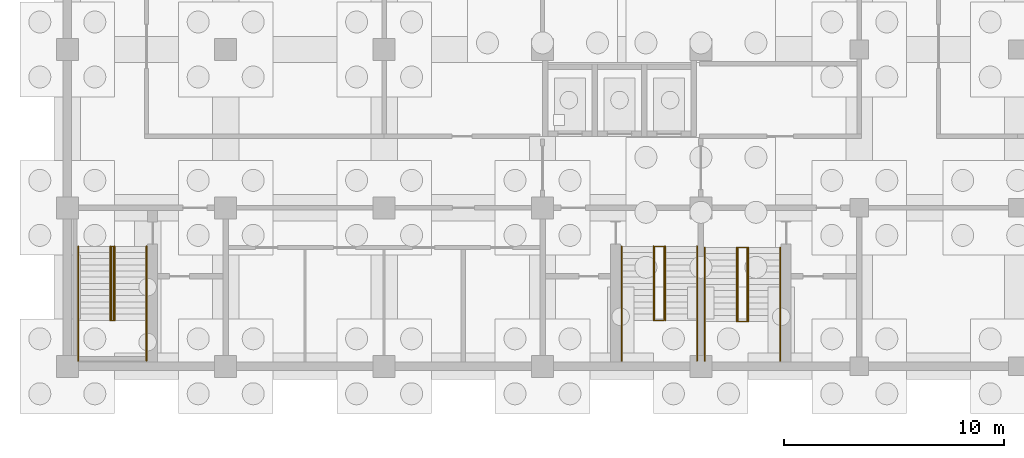
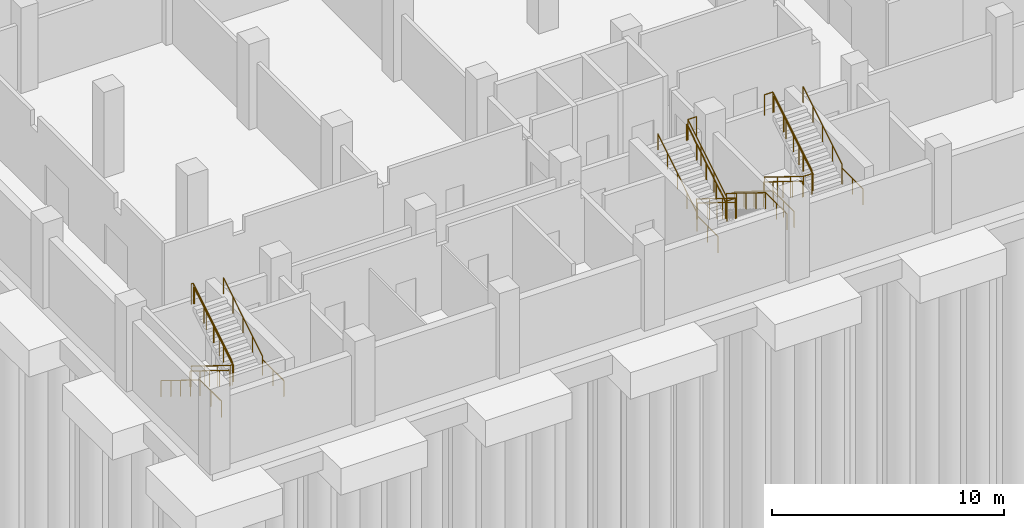
# One storey, part 15 of 19: 15 railings.
"""IFC4 building model written with IfcOpenShell, lengths in metres."""

from ifc_helpers import new_model, si_unit, direction, frame, origin, origin_2d, place, context, subcontext, project, spatial, circle, extrude, material, type_object, element, save


model = new_model("IFC4")

# Units and contexts
model_context = context("Model", 3, precision=1e-05, world=origin(), true_north=direction((0.0, 1.0)))
body_context = subcontext(model_context, "Body", "Model", "MODEL_VIEW")
ifc_project = project(units=[si_unit("LENGTHUNIT", "METRE"), si_unit("AREAUNIT", "SQUARE_METRE"), si_unit("VOLUMEUNIT", "CUBIC_METRE"), si_unit("PLANEANGLEUNIT", "RADIAN"), si_unit("MASSUNIT", "GRAM", prefix="KILO")], contexts=[model_context])

# Site, building, storey
site_placement = place(None, origin())
site = spatial("IfcSite", under=ifc_project, at=site_placement, CompositionType="ELEMENT")
building_placement = place(site_placement, origin())
building = spatial("IfcBuilding", under=site, at=building_placement, Name="Silangan Lancet Faculty of Sciences", CompositionType="ELEMENT")
storey_placement = place(building_placement, frame((0.0, 0.0, -4.5)))
storey = spatial("IfcBuildingStorey", under=building, at=storey_placement, Name="B1", CompositionType="ELEMENT", Elevation=-4.5)

# Railings
ifc_material_1 = material(Name="Steel balustrade", Category="steel")
railing_type_1 = type_object("IfcRailingType", Name="STAIR GUARD 1100", PredefinedType="GUARDRAIL", material=ifc_material_1)
railing_1_placement = place(storey_placement, frame((30.47509765625, 5.39990234375, 0.173095703125)))
element("IfcRailing", 1, at=railing_1_placement, inside=storey, type_object=railing_type_1, Name="GUARD-SAB-A-B1", PredefinedType="GUARDRAIL", context=body_context, shape_type="SweptSolid", body=[
    extrude(circle(Radius=0.02392578125, at=origin_2d()), frame((0.0, 0.0, 1.076171875), z_axis=(0.0, -0.850606129759, 0.525803396734), x_axis=(1.0, 0.0, 0.0)), (0.0, 0.0, 1.0), 3.949951171875),
    extrude(circle(Radius=0.02392578125, at=origin_2d()), frame((0.0, -3.35986328125, 3.15283203125), z_axis=(1.0, 0.0, 0.0), x_axis=(0.0, 1.0, 0.0)), (0.0, 0.0, 1.0), 0.4248046875),
    extrude(circle(Radius=0.02392578125, at=origin_2d()), frame((0.4248046875, -3.35986328125, 3.15283203125), z_axis=(0.0, 0.0, 1.0), x_axis=(1.0, 0.0, 0.0)), (0.0, 0.0, 1.0), 0.173095703125),
    extrude(circle(Radius=0.02392578125, at=origin_2d()), frame((0.4248046875, -3.35986328125, 3.326171875), z_axis=(0.0, 0.850606129759, 0.525803396734), x_axis=(-1.0, 0.0, 0.0)), (0.0, 0.0, 1.0), 3.949951171875),
    extrude(circle(Radius=0.02392578125, at=origin_2d()), frame((0.4248046875, 0.0, 5.40283203125), z_axis=(-1.0, 0.0, 0.0), x_axis=(0.0, -1.0, 0.0)), (0.0, 0.0, 1.0), 0.4248046875),
    extrude(circle(Radius=0.02099609375, at=origin_2d()), origin(), (0.0, 0.0, 1.0), 1.052001953125),
    extrude(circle(Radius=0.02099609375, at=origin_2d()), frame((0.0, -1.119873046875, 0.6923828125)), (0.0, 0.0, 1.0), 1.052001953125),
    extrude(circle(Radius=0.02099609375, at=origin_2d()), frame((0.0, -2.239990234375, 1.384521484375)), (0.0, 0.0, 1.0), 1.052001953125),
    extrude(circle(Radius=0.02099609375, at=origin_2d()), frame((0.0, -3.35986328125, 2.076904296875)), (0.0, 0.0, 1.0), 1.052001953125),
    extrude(circle(Radius=0.02099609375, at=origin_2d()), frame((0.4248046875, -3.35986328125, 2.076904296875)), (0.0, 0.0, 1.0), 1.052001953125),
    extrude(circle(Radius=0.02099609375, at=origin_2d()), frame((0.4248046875, -3.35986328125, 2.25)), (0.0, 0.0, 1.0), 1.052001953125),
    extrude(circle(Radius=0.02099609375, at=origin_2d()), frame((0.4248046875, -2.239990234375, 2.9423828125)), (0.0, 0.0, 1.0), 1.052001953125),
    extrude(circle(Radius=0.02099609375, at=origin_2d()), frame((0.4248046875, -1.119873046875, 3.634521484375)), (0.0, 0.0, 1.0), 1.052001953125),
    extrude(circle(Radius=0.02099609375, at=origin_2d()), frame((0.4248046875, 0.0, 4.326904296875)), (0.0, 0.0, 1.0), 1.052001953125),
    extrude(circle(Radius=0.02099609375, at=origin_2d()), frame((0.0, 0.0, 4.326904296875)), (0.0, 0.0, 1.0), 1.052001953125),
])
railing_2_placement = place(storey_placement, frame((2.0, 5.449951171875, 0.173095703125)))
element("IfcRailing", 2, at=railing_2_placement, inside=storey, type_object=railing_type_1, Name="GUARD-ST-A-B1", PredefinedType="GUARDRAIL", context=body_context, shape_type="SweptSolid", body=[
    extrude(circle(Radius=0.02392578125, at=origin_2d()), frame((0.0, 0.0, 1.076171875), z_axis=(0.0, -0.850606129759, 0.525803396734), x_axis=(1.0, 0.0, 0.0)), (0.0, 0.0, 1.0), 3.949951171875),
    extrude(circle(Radius=0.02392578125, at=origin_2d()), frame((0.0, -3.35986328125, 3.15283203125), z_axis=(1.0, 0.0, 0.0), x_axis=(0.0, 1.0, 0.0)), (0.0, 0.0, 1.0), 0.10009765625),
    extrude(circle(Radius=0.02392578125, at=origin_2d()), frame((0.10009765625, -3.35986328125, 3.15283203125), z_axis=(0.0, 0.0, 1.0), x_axis=(1.0, 0.0, 0.0)), (0.0, 0.0, 1.0), 0.173095703125),
    extrude(circle(Radius=0.02392578125, at=origin_2d()), frame((0.10009765625, -3.35986328125, 3.326171875), z_axis=(0.0, 0.850606129759, 0.525803396734), x_axis=(-1.0, 0.0, 0.0)), (0.0, 0.0, 1.0), 3.949951171875),
    extrude(circle(Radius=0.02392578125, at=origin_2d()), frame((0.10009765625, 0.0, 5.40283203125), z_axis=(-1.0, 0.0, 0.0), x_axis=(0.0, -1.0, 0.0)), (0.0, 0.0, 1.0), 0.10009765625),
    extrude(circle(Radius=0.02099609375, at=origin_2d()), origin(), (0.0, 0.0, 1.0), 1.052001953125),
    extrude(circle(Radius=0.02099609375, at=origin_2d()), frame((0.0, -1.119873046875, 0.6923828125)), (0.0, 0.0, 1.0), 1.052001953125),
    extrude(circle(Radius=0.02099609375, at=origin_2d()), frame((0.0, -2.239990234375, 1.384521484375)), (0.0, 0.0, 1.0), 1.052001953125),
    extrude(circle(Radius=0.02099609375, at=origin_2d()), frame((0.0, -3.35986328125, 2.076904296875)), (0.0, 0.0, 1.0), 1.052001953125),
    extrude(circle(Radius=0.02099609375, at=origin_2d()), frame((0.10009765625, -3.35986328125, 2.076904296875)), (0.0, 0.0, 1.0), 1.052001953125),
    extrude(circle(Radius=0.02099609375, at=origin_2d()), frame((0.10009765625, -3.35986328125, 2.25)), (0.0, 0.0, 1.0), 1.052001953125),
    extrude(circle(Radius=0.02099609375, at=origin_2d()), frame((0.10009765625, -2.239990234375, 2.9423828125)), (0.0, 0.0, 1.0), 1.052001953125),
    extrude(circle(Radius=0.02099609375, at=origin_2d()), frame((0.10009765625, -1.119873046875, 3.634521484375)), (0.0, 0.0, 1.0), 1.052001953125),
    extrude(circle(Radius=0.02099609375, at=origin_2d()), frame((0.10009765625, 0.0, 4.326904296875)), (0.0, 0.0, 1.0), 1.052001953125),
    extrude(circle(Radius=0.02099609375, at=origin_2d()), frame((0.0, 0.0, 4.326904296875)), (0.0, 0.0, 1.0), 1.052001953125),
])
railing_3_placement = place(storey_placement, frame((27.125, 5.449951171875, 0.173095703125)))
element("IfcRailing", 3, at=railing_3_placement, inside=storey, type_object=railing_type_1, Name="GUARD-ST-B-B1", PredefinedType="GUARDRAIL", context=body_context, shape_type="SweptSolid", body=[
    extrude(circle(Radius=0.02392578125, at=origin_2d()), frame((0.0, 0.0, 1.076171875), z_axis=(0.0, -0.850606129759, 0.525803396734), x_axis=(1.0, 0.0, 0.0)), (0.0, 0.0, 1.0), 3.949951171875),
    extrude(circle(Radius=0.02392578125, at=origin_2d()), frame((0.0, -3.35986328125, 3.15283203125), z_axis=(-1.0, 0.0, 0.0), x_axis=(0.0, -1.0, 0.0)), (0.0, 0.0, 1.0), 0.425048828125),
    extrude(circle(Radius=0.02392578125, at=origin_2d()), frame((-0.425048828125, -3.35986328125, 3.15283203125), z_axis=(0.0, 0.0, 1.0), x_axis=(1.0, 0.0, 0.0)), (0.0, 0.0, 1.0), 0.173095703125),
    extrude(circle(Radius=0.02392578125, at=origin_2d()), frame((-0.425048828125, -3.35986328125, 3.326171875), z_axis=(0.0, 0.850606129759, 0.525803396734), x_axis=(-1.0, 0.0, 0.0)), (0.0, 0.0, 1.0), 3.949951171875),
    extrude(circle(Radius=0.02392578125, at=origin_2d()), frame((-0.425048828125, 0.0, 5.40283203125), z_axis=(1.0, 0.0, 0.0), x_axis=(0.0, 1.0, 0.0)), (0.0, 0.0, 1.0), 0.425048828125),
    extrude(circle(Radius=0.02099609375, at=origin_2d()), origin(), (0.0, 0.0, 1.0), 1.052001953125),
    extrude(circle(Radius=0.02099609375, at=origin_2d()), frame((0.0, -1.119873046875, 0.6923828125)), (0.0, 0.0, 1.0), 1.052001953125),
    extrude(circle(Radius=0.02099609375, at=origin_2d()), frame((0.0, -2.239990234375, 1.384521484375)), (0.0, 0.0, 1.0), 1.052001953125),
    extrude(circle(Radius=0.02099609375, at=origin_2d()), frame((0.0, -3.35986328125, 2.076904296875)), (0.0, 0.0, 1.0), 1.052001953125),
    extrude(circle(Radius=0.02099609375, at=origin_2d()), frame((-0.425048828125, -3.35986328125, 2.076904296875)), (0.0, 0.0, 1.0), 1.052001953125),
    extrude(circle(Radius=0.02099609375, at=origin_2d()), frame((-0.425048828125, -3.35986328125, 2.25)), (0.0, 0.0, 1.0), 1.052001953125),
    extrude(circle(Radius=0.02099609375, at=origin_2d()), frame((-0.425048828125, -2.239990234375, 2.9423828125)), (0.0, 0.0, 1.0), 1.052001953125),
    extrude(circle(Radius=0.02099609375, at=origin_2d()), frame((-0.425048828125, -1.119873046875, 3.634521484375)), (0.0, 0.0, 1.0), 1.052001953125),
    extrude(circle(Radius=0.02099609375, at=origin_2d()), frame((-0.425048828125, 0.0, 4.326904296875)), (0.0, 0.0, 1.0), 1.052001953125),
    extrude(circle(Radius=0.02099609375, at=origin_2d()), frame((0.0, 0.0, 4.326904296875)), (0.0, 0.0, 1.0), 1.052001953125),
])
ifc_material_2 = material(Name="Stainless steel", Category="steel")
railing_type_2 = type_object("IfcRailingType", Name="STAIR HANDRAIL 865", PredefinedType="HANDRAIL", material=ifc_material_2)
railing_4_placement = place(storey_placement, frame((28.97509765625, 5.39990234375, 0.173095703125)))
element("IfcRailing", 4, at=railing_4_placement, inside=storey, type_object=railing_type_2, Name="HANDRAIL-SAB-A-B1-O1", PredefinedType="HANDRAIL", context=body_context, shape_type="SweptSolid", body=[
    extrude(circle(Radius=0.02392578125, at=origin_2d()), frame((0.0, 0.0, 0.8408203125), z_axis=(0.0, -0.850544299321, 0.52590340833), x_axis=(1.0, 0.0, 0.0)), (0.0, 0.0, 1.0), 0.9873046875),
    extrude(circle(Radius=0.02392578125, at=origin_2d()), frame((0.0, -0.83984375, 1.3603515625), z_axis=(0.0, -0.850723215571, 0.525613936734), x_axis=(1.0, 0.0, 0.0)), (0.0, 0.0, 1.0), 0.987548828125),
    extrude(circle(Radius=0.02392578125, at=origin_2d()), frame((0.0, -1.679931640625, 1.87939453125), z_axis=(0.0, -0.85061266112, 0.525792830631), x_axis=(1.0, 0.0, 0.0)), (0.0, 0.0, 1.0), 0.987548828125),
    extrude(circle(Radius=0.02392578125, at=origin_2d()), frame((0.0, -2.52001953125, 2.3984375), z_axis=(0.0, -0.850544299321, 0.52590340833), x_axis=(1.0, 0.0, 0.0)), (0.0, 0.0, 1.0), 0.9873046875),
    extrude(circle(Radius=0.02392578125, at=origin_2d()), frame((0.0, -3.35986328125, 2.91796875), z_axis=(0.0, -1.0, 0.0), x_axis=(1.0, 0.0, 0.0)), (0.0, 0.0, 1.0), 1.7900390625),
    extrude(circle(Radius=0.02099609375, at=origin_2d()), origin(), (0.0, 0.0, 1.0), 0.81689453125),
    extrude(circle(Radius=0.02099609375, at=origin_2d()), frame((0.0, -0.83984375, 0.519287109375)), (0.0, 0.0, 1.0), 0.81689453125),
    extrude(circle(Radius=0.02099609375, at=origin_2d()), frame((0.0, -1.679931640625, 1.038330078125)), (0.0, 0.0, 1.0), 0.81689453125),
    extrude(circle(Radius=0.02099609375, at=origin_2d()), frame((0.0, -2.52001953125, 1.5576171875)), (0.0, 0.0, 1.0), 0.81689453125),
    extrude(circle(Radius=0.02099609375, at=origin_2d()), frame((0.0, -3.35986328125, 2.076904296875)), (0.0, 0.0, 1.0), 0.81689453125),
    extrude(circle(Radius=0.02099609375, at=origin_2d()), frame((0.0, -4.2548828125, 2.076904296875)), (0.0, 0.0, 1.0), 0.81689453125),
    extrude(circle(Radius=0.02099609375, at=origin_2d()), frame((0.0, -5.14990234375, 2.076904296875)), (0.0, 0.0, 1.0), 0.81689453125),
])
railing_5_placement = place(storey_placement, frame((30.425048828125, 5.39990234375, 0.173095703125)))
element("IfcRailing", 5, at=railing_5_placement, inside=storey, type_object=railing_type_2, Name="HANDRAIL-SAB-A-B1-I1", PredefinedType="HANDRAIL", context=body_context, shape_type="SweptSolid", body=[
    extrude(circle(Radius=0.02392578125, at=origin_2d()), frame((0.0, 0.0, 0.8408203125), z_axis=(0.0, -0.850544299321, 0.52590340833), x_axis=(1.0, 0.0, 0.0)), (0.0, 0.0, 1.0), 0.9873046875),
    extrude(circle(Radius=0.02392578125, at=origin_2d()), frame((0.0, -0.83984375, 1.3603515625), z_axis=(0.0, -0.850723215571, 0.525613936734), x_axis=(1.0, 0.0, 0.0)), (0.0, 0.0, 1.0), 0.987548828125),
    extrude(circle(Radius=0.02392578125, at=origin_2d()), frame((0.0, -1.679931640625, 1.87939453125), z_axis=(0.0, -0.85061266112, 0.525792830631), x_axis=(1.0, 0.0, 0.0)), (0.0, 0.0, 1.0), 0.987548828125),
    extrude(circle(Radius=0.02392578125, at=origin_2d()), frame((0.0, -2.52001953125, 2.3984375), z_axis=(0.0, -0.850544299321, 0.52590340833), x_axis=(1.0, 0.0, 0.0)), (0.0, 0.0, 1.0), 0.9873046875),
    extrude(circle(Radius=0.02099609375, at=origin_2d()), origin(), (0.0, 0.0, 1.0), 0.81689453125),
    extrude(circle(Radius=0.02099609375, at=origin_2d()), frame((0.0, -0.83984375, 0.519287109375)), (0.0, 0.0, 1.0), 0.81689453125),
    extrude(circle(Radius=0.02099609375, at=origin_2d()), frame((0.0, -1.679931640625, 1.038330078125)), (0.0, 0.0, 1.0), 0.81689453125),
    extrude(circle(Radius=0.02099609375, at=origin_2d()), frame((0.0, -2.52001953125, 1.5576171875)), (0.0, 0.0, 1.0), 0.81689453125),
    extrude(circle(Radius=0.02099609375, at=origin_2d()), frame((0.0, -3.35986328125, 2.076904296875)), (0.0, 0.0, 1.0), 0.81689453125),
])
railing_6_placement = place(storey_placement, frame((32.39990234375, 0.25, 2.25)))
element("IfcRailing", 6, at=railing_6_placement, inside=storey, type_object=railing_type_2, Name="HANDRAIL-SAB-A-B1-O2", PredefinedType="HANDRAIL", context=body_context, shape_type="SweptSolid", body=[
    extrude(circle(Radius=0.02392578125, at=origin_2d()), frame((0.0, 0.0, 0.8408203125), z_axis=(0.0, 1.0, 0.0), x_axis=(-1.0, 0.0, 0.0)), (0.0, 0.0, 1.0), 1.7900390625),
    extrude(circle(Radius=0.02392578125, at=origin_2d()), frame((0.0, 1.7900390625, 0.8408203125), z_axis=(0.0, 0.0, 1.0), x_axis=(1.0, 0.0, 0.0)), (0.0, 0.0, 1.0), 0.173095703125),
    extrude(circle(Radius=0.02392578125, at=origin_2d()), frame((0.0, 1.7900390625, 1.01416015625), z_axis=(0.0, 0.850544299321, 0.52590340833), x_axis=(-1.0, 0.0, 0.0)), (0.0, 0.0, 1.0), 0.9873046875),
    extrude(circle(Radius=0.02392578125, at=origin_2d()), frame((0.0, 2.6298828125, 1.533203125), z_axis=(0.0, 0.850723215571, 0.525613936734), x_axis=(-1.0, 0.0, 0.0)), (0.0, 0.0, 1.0), 0.987548828125),
    extrude(circle(Radius=0.02392578125, at=origin_2d()), frame((0.0, 3.469970703125, 2.05224609375), z_axis=(0.0, 0.85061266112, 0.525792830631), x_axis=(-1.0, 0.0, 0.0)), (0.0, 0.0, 1.0), 0.987548828125),
    extrude(circle(Radius=0.02392578125, at=origin_2d()), frame((0.0, 4.31005859375, 2.57177734375), z_axis=(0.0, 0.850544299321, 0.52590340833), x_axis=(-1.0, 0.0, 0.0)), (0.0, 0.0, 1.0), 0.9873046875),
    extrude(circle(Radius=0.02099609375, at=origin_2d()), origin(), (0.0, 0.0, 1.0), 0.81689453125),
    extrude(circle(Radius=0.02099609375, at=origin_2d()), frame((0.0, 0.89501953125, 0.0)), (0.0, 0.0, 1.0), 0.81689453125),
    extrude(circle(Radius=0.02099609375, at=origin_2d()), frame((0.0, 1.7900390625, 0.0)), (0.0, 0.0, 1.0), 0.81689453125),
    extrude(circle(Radius=0.02099609375, at=origin_2d()), frame((0.0, 1.7900390625, 0.173095703125)), (0.0, 0.0, 1.0), 0.81689453125),
    extrude(circle(Radius=0.02099609375, at=origin_2d()), frame((0.0, 2.6298828125, 0.6923828125)), (0.0, 0.0, 1.0), 0.81689453125),
    extrude(circle(Radius=0.02099609375, at=origin_2d()), frame((0.0, 3.469970703125, 1.21142578125)), (0.0, 0.0, 1.0), 0.81689453125),
    extrude(circle(Radius=0.02099609375, at=origin_2d()), frame((0.0, 4.31005859375, 1.730712890625)), (0.0, 0.0, 1.0), 0.81689453125),
    extrude(circle(Radius=0.02099609375, at=origin_2d()), frame((0.0, 5.14990234375, 2.25)), (0.0, 0.0, 1.0), 0.81689453125),
])
railing_7_placement = place(storey_placement, frame((30.949951171875, 2.0400390625, 2.423095703125)))
element("IfcRailing", 7, at=railing_7_placement, inside=storey, type_object=railing_type_2, Name="HANDRAIL-SAB-A-B1-I2", PredefinedType="HANDRAIL", context=body_context, shape_type="SweptSolid", body=[
    extrude(circle(Radius=0.02392578125, at=origin_2d()), frame((0.0, 0.0, 0.8408203125), z_axis=(0.0, 0.850544299321, 0.52590340833), x_axis=(-1.0, 0.0, 0.0)), (0.0, 0.0, 1.0), 0.9873046875),
    extrude(circle(Radius=0.02392578125, at=origin_2d()), frame((0.0, 0.83984375, 1.3603515625), z_axis=(0.0, 0.850723215571, 0.525613936734), x_axis=(-1.0, 0.0, 0.0)), (0.0, 0.0, 1.0), 0.987548828125),
    extrude(circle(Radius=0.02392578125, at=origin_2d()), frame((0.0, 1.679931640625, 1.87939453125), z_axis=(0.0, 0.85061266112, 0.525792830631), x_axis=(-1.0, 0.0, 0.0)), (0.0, 0.0, 1.0), 0.987548828125),
    extrude(circle(Radius=0.02392578125, at=origin_2d()), frame((0.0, 2.52001953125, 2.3984375), z_axis=(0.0, 0.850544299321, 0.52590340833), x_axis=(-1.0, 0.0, 0.0)), (0.0, 0.0, 1.0), 0.9873046875),
    extrude(circle(Radius=0.02099609375, at=origin_2d()), origin(), (0.0, 0.0, 1.0), 0.81689453125),
    extrude(circle(Radius=0.02099609375, at=origin_2d()), frame((0.0, 0.83984375, 0.519287109375)), (0.0, 0.0, 1.0), 0.81689453125),
    extrude(circle(Radius=0.02099609375, at=origin_2d()), frame((0.0, 1.679931640625, 1.038330078125)), (0.0, 0.0, 1.0), 0.81689453125),
    extrude(circle(Radius=0.02099609375, at=origin_2d()), frame((0.0, 2.52001953125, 1.5576171875)), (0.0, 0.0, 1.0), 0.81689453125),
    extrude(circle(Radius=0.02099609375, at=origin_2d()), frame((0.0, 3.35986328125, 2.076904296875)), (0.0, 0.0, 1.0), 0.81689453125),
])
railing_8_placement = place(storey_placement, frame((0.5, 5.449951171875, 0.173095703125)))
element("IfcRailing", 8, at=railing_8_placement, inside=storey, type_object=railing_type_2, Name="HANDRAIL-ST-A-B1-O1", PredefinedType="HANDRAIL", context=body_context, shape_type="SweptSolid", body=[
    extrude(circle(Radius=0.02392578125, at=origin_2d()), frame((0.0, 0.0, 0.8408203125), z_axis=(0.0, -0.850544299321, 0.52590340833), x_axis=(1.0, 0.0, 0.0)), (0.0, 0.0, 1.0), 0.9873046875),
    extrude(circle(Radius=0.02392578125, at=origin_2d()), frame((0.0, -0.83984375, 1.3603515625), z_axis=(0.0, -0.850723215571, 0.525613936734), x_axis=(1.0, 0.0, 0.0)), (0.0, 0.0, 1.0), 0.987548828125),
    extrude(circle(Radius=0.02392578125, at=origin_2d()), frame((0.0, -1.679931640625, 1.87939453125), z_axis=(0.0, -0.85061266112, 0.525792830631), x_axis=(1.0, 0.0, 0.0)), (0.0, 0.0, 1.0), 0.987548828125),
    extrude(circle(Radius=0.02392578125, at=origin_2d()), frame((0.0, -2.52001953125, 2.3984375), z_axis=(0.0, -0.850544299321, 0.52590340833), x_axis=(1.0, 0.0, 0.0)), (0.0, 0.0, 1.0), 0.9873046875),
    extrude(circle(Radius=0.02392578125, at=origin_2d()), frame((0.0, -3.35986328125, 2.91796875), z_axis=(0.0, -1.0, 0.0), x_axis=(1.0, 0.0, 0.0)), (0.0, 0.0, 1.0), 1.840087890625),
    extrude(circle(Radius=0.02099609375, at=origin_2d()), origin(), (0.0, 0.0, 1.0), 0.81689453125),
    extrude(circle(Radius=0.02099609375, at=origin_2d()), frame((0.0, -0.83984375, 0.519287109375)), (0.0, 0.0, 1.0), 0.81689453125),
    extrude(circle(Radius=0.02099609375, at=origin_2d()), frame((0.0, -1.679931640625, 1.038330078125)), (0.0, 0.0, 1.0), 0.81689453125),
    extrude(circle(Radius=0.02099609375, at=origin_2d()), frame((0.0, -2.52001953125, 1.5576171875)), (0.0, 0.0, 1.0), 0.81689453125),
    extrude(circle(Radius=0.02099609375, at=origin_2d()), frame((0.0, -3.35986328125, 2.076904296875)), (0.0, 0.0, 1.0), 0.81689453125),
    extrude(circle(Radius=0.02099609375, at=origin_2d()), frame((0.0, -4.27978515625, 2.076904296875)), (0.0, 0.0, 1.0), 0.81689453125),
    extrude(circle(Radius=0.02099609375, at=origin_2d()), frame((0.0, -5.199951171875, 2.076904296875)), (0.0, 0.0, 1.0), 0.81689453125),
])
railing_9_placement = place(storey_placement, frame((1.949951171875, 5.449951171875, 0.173095703125)))
element("IfcRailing", 9, at=railing_9_placement, inside=storey, type_object=railing_type_2, Name="HANDRAIL-ST-A-B1-I1", PredefinedType="HANDRAIL", context=body_context, shape_type="SweptSolid", body=[
    extrude(circle(Radius=0.02392578125, at=origin_2d()), frame((0.0, 0.0, 0.8408203125), z_axis=(0.0, -0.850544299321, 0.52590340833), x_axis=(1.0, 0.0, 0.0)), (0.0, 0.0, 1.0), 0.9873046875),
    extrude(circle(Radius=0.02392578125, at=origin_2d()), frame((0.0, -0.83984375, 1.3603515625), z_axis=(0.0, -0.850723215571, 0.525613936734), x_axis=(1.0, 0.0, 0.0)), (0.0, 0.0, 1.0), 0.987548828125),
    extrude(circle(Radius=0.02392578125, at=origin_2d()), frame((0.0, -1.679931640625, 1.87939453125), z_axis=(0.0, -0.85061266112, 0.525792830631), x_axis=(1.0, 0.0, 0.0)), (0.0, 0.0, 1.0), 0.987548828125),
    extrude(circle(Radius=0.02392578125, at=origin_2d()), frame((0.0, -2.52001953125, 2.3984375), z_axis=(0.0, -0.850544299321, 0.52590340833), x_axis=(1.0, 0.0, 0.0)), (0.0, 0.0, 1.0), 0.9873046875),
    extrude(circle(Radius=0.02099609375, at=origin_2d()), origin(), (0.0, 0.0, 1.0), 0.81689453125),
    extrude(circle(Radius=0.02099609375, at=origin_2d()), frame((0.0, -0.83984375, 0.519287109375)), (0.0, 0.0, 1.0), 0.81689453125),
    extrude(circle(Radius=0.02099609375, at=origin_2d()), frame((0.0, -1.679931640625, 1.038330078125)), (0.0, 0.0, 1.0), 0.81689453125),
    extrude(circle(Radius=0.02099609375, at=origin_2d()), frame((0.0, -2.52001953125, 1.5576171875)), (0.0, 0.0, 1.0), 0.81689453125),
    extrude(circle(Radius=0.02099609375, at=origin_2d()), frame((0.0, -3.35986328125, 2.076904296875)), (0.0, 0.0, 1.0), 0.81689453125),
])
railing_10_placement = place(storey_placement, frame((3.60009765625, 0.25, 2.25)))
element("IfcRailing", 10, at=railing_10_placement, inside=storey, type_object=railing_type_2, Name="HANDRAIL-ST-A-B1-O2", PredefinedType="HANDRAIL", context=body_context, shape_type="SweptSolid", body=[
    extrude(circle(Radius=0.02392578125, at=origin_2d()), frame((0.0, 0.0, 0.8408203125), z_axis=(0.0, 1.0, 0.0), x_axis=(-1.0, 0.0, 0.0)), (0.0, 0.0, 1.0), 1.840087890625),
    extrude(circle(Radius=0.02392578125, at=origin_2d()), frame((0.0, 1.840087890625, 0.8408203125), z_axis=(0.0, 0.0, 1.0), x_axis=(1.0, 0.0, 0.0)), (0.0, 0.0, 1.0), 0.173095703125),
    extrude(circle(Radius=0.02392578125, at=origin_2d()), frame((0.0, 1.840087890625, 1.01416015625), z_axis=(0.0, 0.850544299321, 0.52590340833), x_axis=(-1.0, 0.0, 0.0)), (0.0, 0.0, 1.0), 0.9873046875),
    extrude(circle(Radius=0.02392578125, at=origin_2d()), frame((0.0, 2.679931640625, 1.533203125), z_axis=(0.0, 0.850723215571, 0.525613936734), x_axis=(-1.0, 0.0, 0.0)), (0.0, 0.0, 1.0), 0.987548828125),
    extrude(circle(Radius=0.02392578125, at=origin_2d()), frame((0.0, 3.52001953125, 2.05224609375), z_axis=(0.0, 0.85061266112, 0.525792830631), x_axis=(-1.0, 0.0, 0.0)), (0.0, 0.0, 1.0), 0.987548828125),
    extrude(circle(Radius=0.02392578125, at=origin_2d()), frame((0.0, 4.360107421875, 2.57177734375), z_axis=(0.0, 0.850544299321, 0.52590340833), x_axis=(-1.0, 0.0, 0.0)), (0.0, 0.0, 1.0), 0.9873046875),
    extrude(circle(Radius=0.02099609375, at=origin_2d()), origin(), (0.0, 0.0, 1.0), 0.81689453125),
    extrude(circle(Radius=0.02099609375, at=origin_2d()), frame((0.0, 0.919921875, 0.0)), (0.0, 0.0, 1.0), 0.81689453125),
    extrude(circle(Radius=0.02099609375, at=origin_2d()), frame((0.0, 1.840087890625, 0.0)), (0.0, 0.0, 1.0), 0.81689453125),
    extrude(circle(Radius=0.02099609375, at=origin_2d()), frame((0.0, 1.840087890625, 0.173095703125)), (0.0, 0.0, 1.0), 0.81689453125),
    extrude(circle(Radius=0.02099609375, at=origin_2d()), frame((0.0, 2.679931640625, 0.6923828125)), (0.0, 0.0, 1.0), 0.81689453125),
    extrude(circle(Radius=0.02099609375, at=origin_2d()), frame((0.0, 3.52001953125, 1.21142578125)), (0.0, 0.0, 1.0), 0.81689453125),
    extrude(circle(Radius=0.02099609375, at=origin_2d()), frame((0.0, 4.360107421875, 1.730712890625)), (0.0, 0.0, 1.0), 0.81689453125),
    extrude(circle(Radius=0.02099609375, at=origin_2d()), frame((0.0, 5.199951171875, 2.25)), (0.0, 0.0, 1.0), 0.81689453125),
])
railing_11_placement = place(storey_placement, frame((2.14990234375, 2.090087890625, 2.423095703125)))
element("IfcRailing", 11, at=railing_11_placement, inside=storey, type_object=railing_type_2, Name="HANDRAIL-ST-A-B1-I2", PredefinedType="HANDRAIL", context=body_context, shape_type="SweptSolid", body=[
    extrude(circle(Radius=0.02392578125, at=origin_2d()), frame((0.0, 0.0, 0.8408203125), z_axis=(0.0, 0.850544299321, 0.52590340833), x_axis=(-1.0, 0.0, 0.0)), (0.0, 0.0, 1.0), 0.9873046875),
    extrude(circle(Radius=0.02392578125, at=origin_2d()), frame((0.0, 0.83984375, 1.3603515625), z_axis=(0.0, 0.850723215571, 0.525613936734), x_axis=(-1.0, 0.0, 0.0)), (0.0, 0.0, 1.0), 0.987548828125),
    extrude(circle(Radius=0.02392578125, at=origin_2d()), frame((0.0, 1.679931640625, 1.87939453125), z_axis=(0.0, 0.85061266112, 0.525792830631), x_axis=(-1.0, 0.0, 0.0)), (0.0, 0.0, 1.0), 0.987548828125),
    extrude(circle(Radius=0.02392578125, at=origin_2d()), frame((0.0, 2.52001953125, 2.3984375), z_axis=(0.0, 0.850544299321, 0.52590340833), x_axis=(-1.0, 0.0, 0.0)), (0.0, 0.0, 1.0), 0.9873046875),
    extrude(circle(Radius=0.02099609375, at=origin_2d()), origin(), (0.0, 0.0, 1.0), 0.81689453125),
    extrude(circle(Radius=0.02099609375, at=origin_2d()), frame((0.0, 0.83984375, 0.519287109375)), (0.0, 0.0, 1.0), 0.81689453125),
    extrude(circle(Radius=0.02099609375, at=origin_2d()), frame((0.0, 1.679931640625, 1.038330078125)), (0.0, 0.0, 1.0), 0.81689453125),
    extrude(circle(Radius=0.02099609375, at=origin_2d()), frame((0.0, 2.52001953125, 1.5576171875)), (0.0, 0.0, 1.0), 0.81689453125),
    extrude(circle(Radius=0.02099609375, at=origin_2d()), frame((0.0, 3.35986328125, 2.076904296875)), (0.0, 0.0, 1.0), 0.81689453125),
])
railing_12_placement = place(storey_placement, frame((28.625, 5.449951171875, 0.173095703125)))
element("IfcRailing", 12, at=railing_12_placement, inside=storey, type_object=railing_type_2, Name="HANDRAIL-ST-B-B1-O1", PredefinedType="HANDRAIL", context=body_context, shape_type="SweptSolid", body=[
    extrude(circle(Radius=0.02392578125, at=origin_2d()), frame((0.0, 0.0, 0.8408203125), z_axis=(0.0, -0.850544299321, 0.52590340833), x_axis=(1.0, 0.0, 0.0)), (0.0, 0.0, 1.0), 0.9873046875),
    extrude(circle(Radius=0.02392578125, at=origin_2d()), frame((0.0, -0.83984375, 1.3603515625), z_axis=(0.0, -0.850723215571, 0.525613936734), x_axis=(1.0, 0.0, 0.0)), (0.0, 0.0, 1.0), 0.987548828125),
    extrude(circle(Radius=0.02392578125, at=origin_2d()), frame((0.0, -1.679931640625, 1.87939453125), z_axis=(0.0, -0.85061266112, 0.525792830631), x_axis=(1.0, 0.0, 0.0)), (0.0, 0.0, 1.0), 0.987548828125),
    extrude(circle(Radius=0.02392578125, at=origin_2d()), frame((0.0, -2.52001953125, 2.3984375), z_axis=(0.0, -0.850544299321, 0.52590340833), x_axis=(1.0, 0.0, 0.0)), (0.0, 0.0, 1.0), 0.9873046875),
    extrude(circle(Radius=0.02392578125, at=origin_2d()), frame((0.0, -3.35986328125, 2.91796875), z_axis=(0.0, -1.0, 0.0), x_axis=(1.0, 0.0, 0.0)), (0.0, 0.0, 1.0), 1.840087890625),
    extrude(circle(Radius=0.02099609375, at=origin_2d()), origin(), (0.0, 0.0, 1.0), 0.81689453125),
    extrude(circle(Radius=0.02099609375, at=origin_2d()), frame((0.0, -0.83984375, 0.519287109375)), (0.0, 0.0, 1.0), 0.81689453125),
    extrude(circle(Radius=0.02099609375, at=origin_2d()), frame((0.0, -1.679931640625, 1.038330078125)), (0.0, 0.0, 1.0), 0.81689453125),
    extrude(circle(Radius=0.02099609375, at=origin_2d()), frame((0.0, -2.52001953125, 1.5576171875)), (0.0, 0.0, 1.0), 0.81689453125),
    extrude(circle(Radius=0.02099609375, at=origin_2d()), frame((0.0, -3.35986328125, 2.076904296875)), (0.0, 0.0, 1.0), 0.81689453125),
    extrude(circle(Radius=0.02099609375, at=origin_2d()), frame((0.0, -4.27978515625, 2.076904296875)), (0.0, 0.0, 1.0), 0.81689453125),
    extrude(circle(Radius=0.02099609375, at=origin_2d()), frame((0.0, -5.199951171875, 2.076904296875)), (0.0, 0.0, 1.0), 0.81689453125),
])
railing_13_placement = place(storey_placement, frame((27.175048828125, 5.449951171875, 0.173095703125)))
element("IfcRailing", 13, at=railing_13_placement, inside=storey, type_object=railing_type_2, Name="HANDRAIL-ST-B-B1-I1", PredefinedType="HANDRAIL", context=body_context, shape_type="SweptSolid", body=[
    extrude(circle(Radius=0.02392578125, at=origin_2d()), frame((0.0, 0.0, 0.8408203125), z_axis=(0.0, -0.850544299321, 0.52590340833), x_axis=(1.0, 0.0, 0.0)), (0.0, 0.0, 1.0), 0.9873046875),
    extrude(circle(Radius=0.02392578125, at=origin_2d()), frame((0.0, -0.83984375, 1.3603515625), z_axis=(0.0, -0.850723215571, 0.525613936734), x_axis=(1.0, 0.0, 0.0)), (0.0, 0.0, 1.0), 0.987548828125),
    extrude(circle(Radius=0.02392578125, at=origin_2d()), frame((0.0, -1.679931640625, 1.87939453125), z_axis=(0.0, -0.85061266112, 0.525792830631), x_axis=(1.0, 0.0, 0.0)), (0.0, 0.0, 1.0), 0.987548828125),
    extrude(circle(Radius=0.02392578125, at=origin_2d()), frame((0.0, -2.52001953125, 2.3984375), z_axis=(0.0, -0.850544299321, 0.52590340833), x_axis=(1.0, 0.0, 0.0)), (0.0, 0.0, 1.0), 0.9873046875),
    extrude(circle(Radius=0.02099609375, at=origin_2d()), origin(), (0.0, 0.0, 1.0), 0.81689453125),
    extrude(circle(Radius=0.02099609375, at=origin_2d()), frame((0.0, -0.83984375, 0.519287109375)), (0.0, 0.0, 1.0), 0.81689453125),
    extrude(circle(Radius=0.02099609375, at=origin_2d()), frame((0.0, -1.679931640625, 1.038330078125)), (0.0, 0.0, 1.0), 0.81689453125),
    extrude(circle(Radius=0.02099609375, at=origin_2d()), frame((0.0, -2.52001953125, 1.5576171875)), (0.0, 0.0, 1.0), 0.81689453125),
    extrude(circle(Radius=0.02099609375, at=origin_2d()), frame((0.0, -3.35986328125, 2.076904296875)), (0.0, 0.0, 1.0), 0.81689453125),
])
railing_14_placement = place(storey_placement, frame((25.199951171875, 0.25, 2.25)))
element("IfcRailing", 14, at=railing_14_placement, inside=storey, type_object=railing_type_2, Name="HANDRAIL-ST-B-B1-O2", PredefinedType="HANDRAIL", context=body_context, shape_type="SweptSolid", body=[
    extrude(circle(Radius=0.02392578125, at=origin_2d()), frame((0.0, 0.0, 0.8408203125), z_axis=(0.0, 1.0, 0.0), x_axis=(-1.0, 0.0, 0.0)), (0.0, 0.0, 1.0), 1.840087890625),
    extrude(circle(Radius=0.02392578125, at=origin_2d()), frame((0.0, 1.840087890625, 0.8408203125), z_axis=(0.0, 0.0, 1.0), x_axis=(1.0, 0.0, 0.0)), (0.0, 0.0, 1.0), 0.173095703125),
    extrude(circle(Radius=0.02392578125, at=origin_2d()), frame((0.0, 1.840087890625, 1.01416015625), z_axis=(0.0, 0.850544299321, 0.52590340833), x_axis=(-1.0, 0.0, 0.0)), (0.0, 0.0, 1.0), 0.9873046875),
    extrude(circle(Radius=0.02392578125, at=origin_2d()), frame((0.0, 2.679931640625, 1.533203125), z_axis=(0.0, 0.850723215571, 0.525613936734), x_axis=(-1.0, 0.0, 0.0)), (0.0, 0.0, 1.0), 0.987548828125),
    extrude(circle(Radius=0.02392578125, at=origin_2d()), frame((0.0, 3.52001953125, 2.05224609375), z_axis=(0.0, 0.85061266112, 0.525792830631), x_axis=(-1.0, 0.0, 0.0)), (0.0, 0.0, 1.0), 0.987548828125),
    extrude(circle(Radius=0.02392578125, at=origin_2d()), frame((0.0, 4.360107421875, 2.57177734375), z_axis=(0.0, 0.850544299321, 0.52590340833), x_axis=(-1.0, 0.0, 0.0)), (0.0, 0.0, 1.0), 0.9873046875),
    extrude(circle(Radius=0.02099609375, at=origin_2d()), origin(), (0.0, 0.0, 1.0), 0.81689453125),
    extrude(circle(Radius=0.02099609375, at=origin_2d()), frame((0.0, 0.919921875, 0.0)), (0.0, 0.0, 1.0), 0.81689453125),
    extrude(circle(Radius=0.02099609375, at=origin_2d()), frame((0.0, 1.840087890625, 0.0)), (0.0, 0.0, 1.0), 0.81689453125),
    extrude(circle(Radius=0.02099609375, at=origin_2d()), frame((0.0, 1.840087890625, 0.173095703125)), (0.0, 0.0, 1.0), 0.81689453125),
    extrude(circle(Radius=0.02099609375, at=origin_2d()), frame((0.0, 2.679931640625, 0.6923828125)), (0.0, 0.0, 1.0), 0.81689453125),
    extrude(circle(Radius=0.02099609375, at=origin_2d()), frame((0.0, 3.52001953125, 1.21142578125)), (0.0, 0.0, 1.0), 0.81689453125),
    extrude(circle(Radius=0.02099609375, at=origin_2d()), frame((0.0, 4.360107421875, 1.730712890625)), (0.0, 0.0, 1.0), 0.81689453125),
    extrude(circle(Radius=0.02099609375, at=origin_2d()), frame((0.0, 5.199951171875, 2.25)), (0.0, 0.0, 1.0), 0.81689453125),
])
railing_15_placement = place(storey_placement, frame((26.64990234375, 2.090087890625, 2.423095703125)))
element("IfcRailing", 15, at=railing_15_placement, inside=storey, type_object=railing_type_2, Name="HANDRAIL-ST-B-B1-I2", PredefinedType="HANDRAIL", context=body_context, shape_type="SweptSolid", body=[
    extrude(circle(Radius=0.02392578125, at=origin_2d()), frame((0.0, 0.0, 0.8408203125), z_axis=(0.0, 0.850544299321, 0.52590340833), x_axis=(-1.0, 0.0, 0.0)), (0.0, 0.0, 1.0), 0.9873046875),
    extrude(circle(Radius=0.02392578125, at=origin_2d()), frame((0.0, 0.83984375, 1.3603515625), z_axis=(0.0, 0.850723215571, 0.525613936734), x_axis=(-1.0, 0.0, 0.0)), (0.0, 0.0, 1.0), 0.987548828125),
    extrude(circle(Radius=0.02392578125, at=origin_2d()), frame((0.0, 1.679931640625, 1.87939453125), z_axis=(0.0, 0.85061266112, 0.525792830631), x_axis=(-1.0, 0.0, 0.0)), (0.0, 0.0, 1.0), 0.987548828125),
    extrude(circle(Radius=0.02392578125, at=origin_2d()), frame((0.0, 2.52001953125, 2.3984375), z_axis=(0.0, 0.850544299321, 0.52590340833), x_axis=(-1.0, 0.0, 0.0)), (0.0, 0.0, 1.0), 0.9873046875),
    extrude(circle(Radius=0.02099609375, at=origin_2d()), origin(), (0.0, 0.0, 1.0), 0.81689453125),
    extrude(circle(Radius=0.02099609375, at=origin_2d()), frame((0.0, 0.83984375, 0.519287109375)), (0.0, 0.0, 1.0), 0.81689453125),
    extrude(circle(Radius=0.02099609375, at=origin_2d()), frame((0.0, 1.679931640625, 1.038330078125)), (0.0, 0.0, 1.0), 0.81689453125),
    extrude(circle(Radius=0.02099609375, at=origin_2d()), frame((0.0, 2.52001953125, 1.5576171875)), (0.0, 0.0, 1.0), 0.81689453125),
    extrude(circle(Radius=0.02099609375, at=origin_2d()), frame((0.0, 3.35986328125, 2.076904296875)), (0.0, 0.0, 1.0), 0.81689453125),
])

save(model, "model.ifc")
